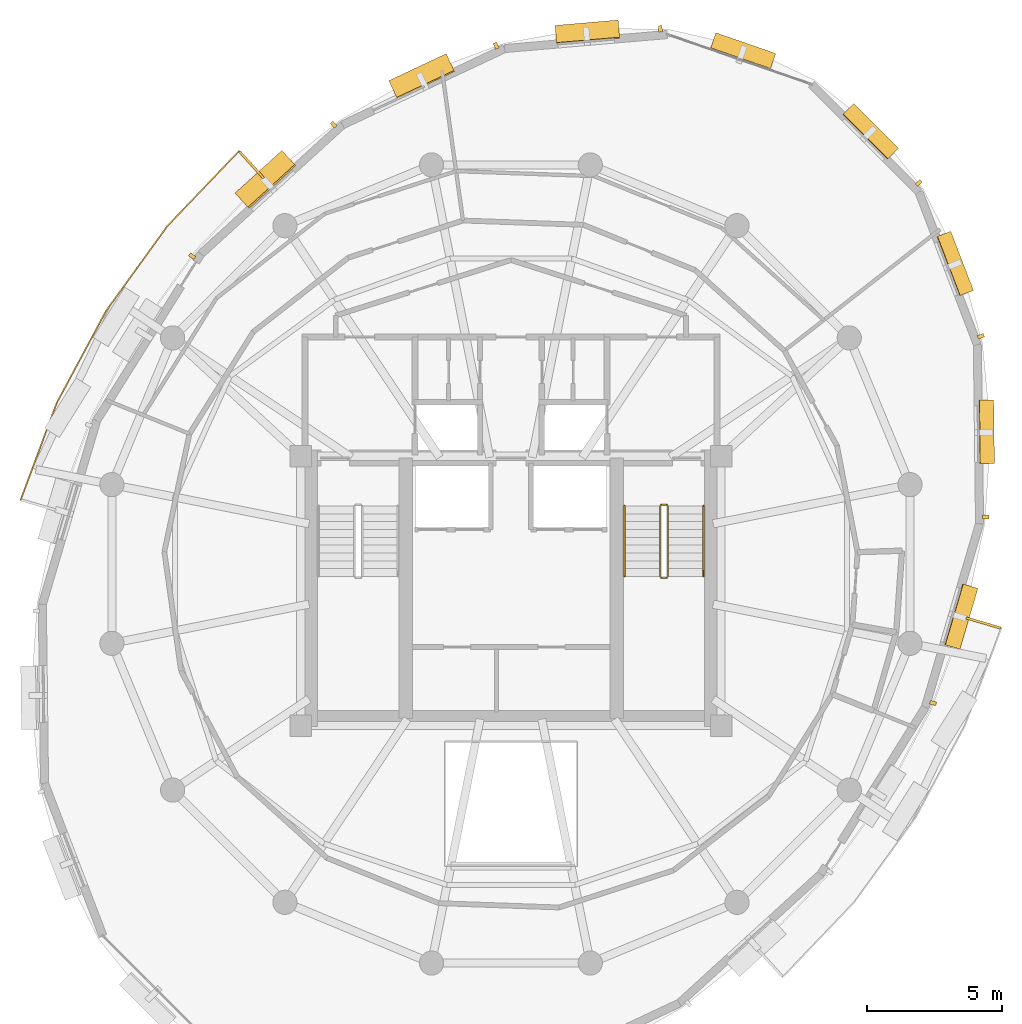
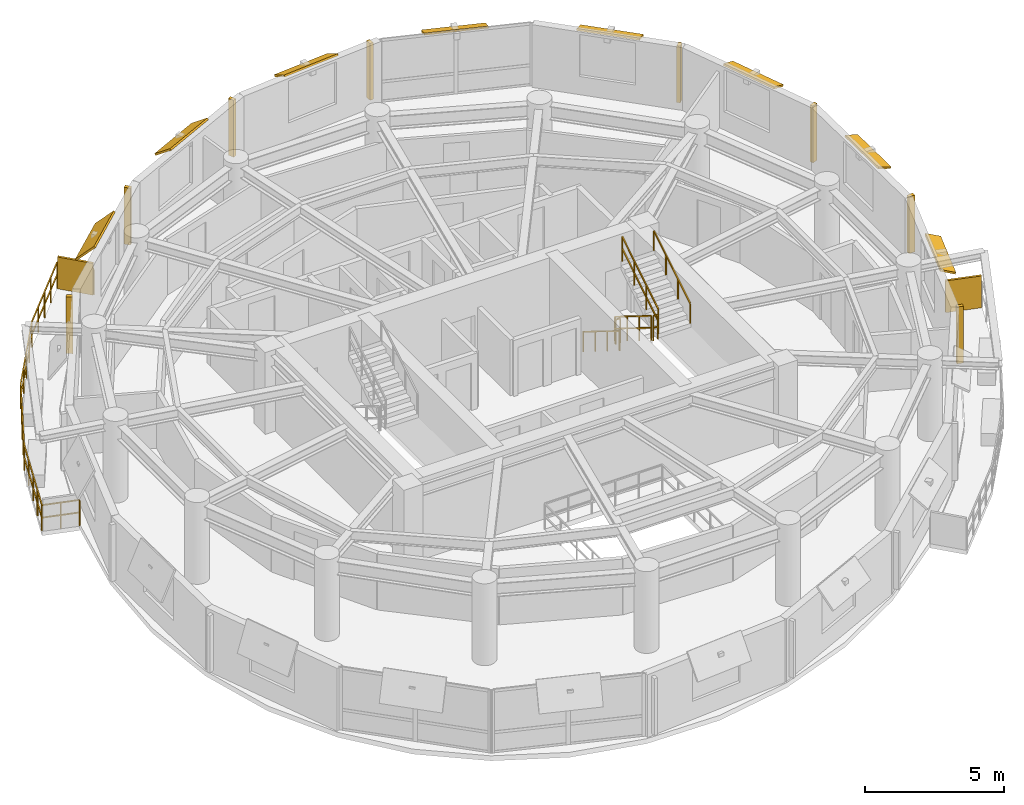
# One storey, part 11 of 11: 18 shading devices, 7 railings.
"""IFC4 building model written with IfcOpenShell, lengths in metres."""

from ifc_helpers import new_model, si_unit, direction, frame, origin, origin_2d, place, context, subcontext, project, spatial, rectangle, extrude, material, layer, layer_set, type_object, element, save


model = new_model("IFC4")

# Units and contexts
model_context = context("Model", 3, precision=1e-05, world=origin(), true_north=direction((0.0, 1.0)))
body_context = subcontext(model_context, "Body", "Model", "MODEL_VIEW")
ifc_project = project(units=[si_unit("LENGTHUNIT", "METRE"), si_unit("AREAUNIT", "SQUARE_METRE"), si_unit("VOLUMEUNIT", "CUBIC_METRE"), si_unit("PLANEANGLEUNIT", "RADIAN"), si_unit("MASSUNIT", "GRAM", prefix="KILO"), si_unit("THERMODYNAMICTEMPERATUREUNIT", "KELVIN"), si_unit("POWERUNIT", "WATT")], contexts=[model_context])

# Site, building, storey
site_placement = place(None, origin())
site = spatial("IfcSite", under=ifc_project, at=site_placement, CompositionType="ELEMENT")
building_placement = place(site_placement, origin())
building = spatial("IfcBuilding", under=site, at=building_placement, Name="Ocrelia Relay Tower", CompositionType="ELEMENT")
storey_placement = place(building_placement, frame((0.0, 0.0, 270.0)))
storey = spatial("IfcBuildingStorey", under=building, at=storey_placement, Name="L67", CompositionType="ELEMENT", Elevation=270.0)

# Railings
ifc_material_1 = material(Name="Steel S355 balustrade", Category="steel")
railing_type_1 = type_object("IfcRailingType", Name="RL-EXT-GUARD-1150", PredefinedType="GUARDRAIL", material=ifc_material_1)
railing_1_placement = place(storey_placement, frame((17.140869140625, 27.990966796875, 0.0)))
element("IfcRailing", 1, at=railing_1_placement, inside=storey, type_object=railing_type_1, Name="L67 Loggia Balcony Guard Rail B1", PredefinedType="GUARDRAIL", context=body_context, shape_type="SweptSolid", body=[
    extrude(rectangle(XDim=0.048095703125, YDim=0.048095703125, at=origin_2d()), frame((0.0, 0.0, 1.1259765625), z_axis=(-0.95948817426, 0.281748901426, 0.0), x_axis=(-0.281748901426, -0.95948817426, 0.0)), (0.0, 0.0, 1.0), 1.393310546875),
    extrude(rectangle(XDim=0.048095703125, YDim=0.048095703125, at=origin_2d()), frame((0.0, 0.0, 0.574951171875), z_axis=(-0.95948817426, 0.281748901426, 0.0), x_axis=(-0.281748901426, -0.95948817426, 0.0)), (0.0, 0.0, 1.0), 1.393310546875),
    extrude(rectangle(XDim=0.048095703125, YDim=0.048095703125, at=origin_2d()), frame((-1.3369140625, 0.392578125, 1.1259765625), z_axis=(0.348684374096, 0.937240207877, 0.0), x_axis=(-0.937240207877, 0.348684374096, 0.0)), (0.0, 0.0, 1.0), 1.920654296875),
    extrude(rectangle(XDim=0.048095703125, YDim=0.048095703125, at=origin_2d()), frame((-1.3369140625, 0.392578125, 0.574951171875), z_axis=(0.348684374096, 0.937240207877, 0.0), x_axis=(-0.937240207877, 0.348684374096, 0.0)), (0.0, 0.0, 1.0), 1.920654296875),
    extrude(rectangle(XDim=0.048095703125, YDim=0.048095703125, at=origin_2d()), frame((-0.667236328125, 2.192626953125, 1.1259765625), z_axis=(0.348754482201, 0.937214122357, 0.0), x_axis=(-0.937214122357, 0.348754482201, 0.0)), (0.0, 0.0, 1.0), 1.9208984375),
    extrude(rectangle(XDim=0.048095703125, YDim=0.048095703125, at=origin_2d()), frame((-0.667236328125, 2.192626953125, 0.574951171875), z_axis=(0.348754482201, 0.937214122357, 0.0), x_axis=(-0.937214122357, 0.348754482201, 0.0)), (0.0, 0.0, 1.0), 1.9208984375),
    extrude(rectangle(XDim=0.048095703125, YDim=0.048095703125, at=origin_2d()), frame((0.002685546875, 3.992919921875, 1.1259765625), z_axis=(0.472591384212, 0.881281670959, 0.0), x_axis=(-0.881281670959, 0.472591384212, 0.0)), (0.0, 0.0, 1.0), 3.8818359375),
    extrude(rectangle(XDim=0.048095703125, YDim=0.048095703125, at=origin_2d()), frame((0.002685546875, 3.992919921875, 0.574951171875), z_axis=(0.472591384212, 0.881281670959, 0.0), x_axis=(-0.881281670959, 0.472591384212, 0.0)), (0.0, 0.0, 1.0), 3.8818359375),
    extrude(rectangle(XDim=0.048095703125, YDim=0.048095703125, at=origin_2d()), frame((1.837158203125, 7.413818359375, 1.1259765625), z_axis=(0.58631916506, 0.810080142136, 0.0), x_axis=(-0.810080142136, 0.58631916506, 0.0)), (0.0, 0.0, 1.0), 3.882080078125),
    extrude(rectangle(XDim=0.048095703125, YDim=0.048095703125, at=origin_2d()), frame((1.837158203125, 7.413818359375, 0.574951171875), z_axis=(0.58631916506, 0.810080142136, 0.0), x_axis=(-0.810080142136, 0.58631916506, 0.0)), (0.0, 0.0, 1.0), 3.882080078125),
    extrude(rectangle(XDim=0.048095703125, YDim=0.048095703125, at=origin_2d()), frame((4.11328125, 10.55859375, 1.1259765625), z_axis=(0.690780996673, 0.723064046012, 0.0), x_axis=(-0.723064046012, 0.690780996673, 0.0)), (0.0, 0.0, 1.0), 1.9208984375),
    extrude(rectangle(XDim=0.048095703125, YDim=0.048095703125, at=origin_2d()), frame((4.11328125, 10.55859375, 0.574951171875), z_axis=(0.690780996673, 0.723064046012, 0.0), x_axis=(-0.723064046012, 0.690780996673, 0.0)), (0.0, 0.0, 1.0), 1.9208984375),
    extrude(rectangle(XDim=0.048095703125, YDim=0.048095703125, at=origin_2d()), frame((5.440185546875, 11.947509765625, 1.1259765625), z_axis=(0.690778029308, 0.72306688088, 0.0), x_axis=(-0.72306688088, 0.690778029308, 0.0)), (0.0, 0.0, 1.0), 1.92041015625),
    extrude(rectangle(XDim=0.048095703125, YDim=0.048095703125, at=origin_2d()), frame((5.440185546875, 11.947509765625, 0.574951171875), z_axis=(0.690778029308, 0.72306688088, 0.0), x_axis=(-0.72306688088, 0.690778029308, 0.0)), (0.0, 0.0, 1.0), 1.92041015625),
    extrude(rectangle(XDim=0.048095703125, YDim=0.048095703125, at=origin_2d()), frame((6.766845703125, 13.336181640625, 1.1259765625), z_axis=(0.672759991907, -0.739860793183, 0.0), x_axis=(0.739860793183, 0.672759991907, 0.0)), (0.0, 0.0, 1.0), 1.3935546875),
    extrude(rectangle(XDim=0.048095703125, YDim=0.048095703125, at=origin_2d()), frame((6.766845703125, 13.336181640625, 0.574951171875), z_axis=(0.672759991907, -0.739860793183, 0.0), x_axis=(0.739860793183, 0.672759991907, 0.0)), (0.0, 0.0, 1.0), 1.3935546875),
    extrude(rectangle(XDim=0.0419921875, YDim=0.0419921875, at=origin_2d()), origin(), (0.0, 0.0, 1.0), 1.101806640625),
    extrude(rectangle(XDim=0.0419921875, YDim=0.0419921875, at=origin_2d()), frame((-0.66845703125, 0.1962890625, 0.0)), (0.0, 0.0, 1.0), 1.101806640625),
    extrude(rectangle(XDim=0.0419921875, YDim=0.0419921875, at=origin_2d()), frame((-1.3369140625, 0.392578125, 0.0)), (0.0, 0.0, 1.0), 1.101806640625),
    extrude(rectangle(XDim=0.0419921875, YDim=0.0419921875, at=origin_2d()), frame((-1.001953125, 1.29248046875, 0.0)), (0.0, 0.0, 1.0), 1.101806640625),
    extrude(rectangle(XDim=0.0419921875, YDim=0.0419921875, at=origin_2d()), frame((-0.667236328125, 2.192626953125, 0.0)), (0.0, 0.0, 1.0), 1.101806640625),
    extrude(rectangle(XDim=0.0419921875, YDim=0.0419921875, at=origin_2d()), frame((-0.332275390625, 3.0927734375, 0.0)), (0.0, 0.0, 1.0), 1.101806640625),
    extrude(rectangle(XDim=0.0419921875, YDim=0.0419921875, at=origin_2d()), frame((0.002685546875, 3.992919921875, 0.0)), (0.0, 0.0, 1.0), 1.101806640625),
    extrude(rectangle(XDim=0.0419921875, YDim=0.0419921875, at=origin_2d()), frame((0.46142578125, 4.84814453125, 0.0)), (0.0, 0.0, 1.0), 1.101806640625),
    extrude(rectangle(XDim=0.0419921875, YDim=0.0419921875, at=origin_2d()), frame((0.919921875, 5.703369140625, 0.0)), (0.0, 0.0, 1.0), 1.101806640625),
    extrude(rectangle(XDim=0.0419921875, YDim=0.0419921875, at=origin_2d()), frame((1.37841796875, 6.55859375, 0.0)), (0.0, 0.0, 1.0), 1.101806640625),
    extrude(rectangle(XDim=0.0419921875, YDim=0.0419921875, at=origin_2d()), frame((1.837158203125, 7.413818359375, 0.0)), (0.0, 0.0, 1.0), 1.101806640625),
    extrude(rectangle(XDim=0.0419921875, YDim=0.0419921875, at=origin_2d()), frame((2.40625, 8.199951171875, 0.0)), (0.0, 0.0, 1.0), 1.101806640625),
    extrude(rectangle(XDim=0.0419921875, YDim=0.0419921875, at=origin_2d()), frame((2.97509765625, 8.986328125, 0.0)), (0.0, 0.0, 1.0), 1.101806640625),
    extrude(rectangle(XDim=0.0419921875, YDim=0.0419921875, at=origin_2d()), frame((3.544189453125, 9.7724609375, 0.0)), (0.0, 0.0, 1.0), 1.101806640625),
    extrude(rectangle(XDim=0.0419921875, YDim=0.0419921875, at=origin_2d()), frame((4.11328125, 10.55859375, 0.0)), (0.0, 0.0, 1.0), 1.101806640625),
    extrude(rectangle(XDim=0.0419921875, YDim=0.0419921875, at=origin_2d()), frame((4.77685546875, 11.2529296875, 0.0)), (0.0, 0.0, 1.0), 1.101806640625),
    extrude(rectangle(XDim=0.0419921875, YDim=0.0419921875, at=origin_2d()), frame((5.440185546875, 11.947509765625, 0.0)), (0.0, 0.0, 1.0), 1.101806640625),
    extrude(rectangle(XDim=0.0419921875, YDim=0.0419921875, at=origin_2d()), frame((6.103515625, 12.641845703125, 0.0)), (0.0, 0.0, 1.0), 1.101806640625),
    extrude(rectangle(XDim=0.0419921875, YDim=0.0419921875, at=origin_2d()), frame((6.766845703125, 13.336181640625, 0.0)), (0.0, 0.0, 1.0), 1.101806640625),
    extrude(rectangle(XDim=0.0419921875, YDim=0.0419921875, at=origin_2d()), frame((7.235595703125, 12.82080078125, 0.0)), (0.0, 0.0, 1.0), 1.101806640625),
    extrude(rectangle(XDim=0.0419921875, YDim=0.0419921875, at=origin_2d()), frame((7.704345703125, 12.30517578125, 0.0)), (0.0, 0.0, 1.0), 1.101806640625),
])
railing_type_2 = type_object("IfcRailingType", Name="RL-STAIR-GUARD", PredefinedType="GUARDRAIL", material=ifc_material_1)
railing_2_placement = place(storey_placement, frame((39.530029296875, 28.14990234375, 0.179931640625)))
element("IfcRailing", 2, at=railing_2_placement, inside=storey, type_object=railing_type_2, Name="L67 ST2 stair guard 1", PredefinedType="GUARDRAIL", context=body_context, shape_type="SweptSolid", body=[
    extrude(rectangle(XDim=0.048095703125, YDim=0.048095703125, at=origin_2d()), frame((0.0, 0.0, 1.076171875), z_axis=(0.0, -0.849610693518, 0.52741034258), x_axis=(1.0, 0.0, 0.0)), (0.0, 0.0, 1.0), 3.07177734375),
    extrude(rectangle(XDim=0.048095703125, YDim=0.048095703125, at=origin_2d()), frame((0.0, 0.0, 0.550048828125), z_axis=(0.0, -0.849610693518, 0.52741034258), x_axis=(1.0, 0.0, 0.0)), (0.0, 0.0, 1.0), 3.07177734375),
    extrude(rectangle(XDim=0.0419921875, YDim=0.0419921875, at=origin_2d()), origin(), (0.0, 0.0, 1.0), 1.052001953125),
    extrude(rectangle(XDim=0.0419921875, YDim=0.0419921875, at=origin_2d()), frame((0.0, -0.869873046875, 0.5400390625)), (0.0, 0.0, 1.0), 1.052001953125),
    extrude(rectangle(XDim=0.0419921875, YDim=0.0419921875, at=origin_2d()), frame((0.0, -1.739990234375, 1.080078125)), (0.0, 0.0, 1.0), 1.052001953125),
    extrude(rectangle(XDim=0.0419921875, YDim=0.0419921875, at=origin_2d()), frame((0.0, -2.60986328125, 1.6201171875)), (0.0, 0.0, 1.0), 1.052001953125),
])
railing_3_placement = place(storey_placement, frame((39.580078125, 25.489990234375, 1.800048828125)))
element("IfcRailing", 3, at=railing_3_placement, inside=storey, type_object=railing_type_2, Name="L67 ST2 stair guard 2", PredefinedType="GUARDRAIL", context=body_context, shape_type="SweptSolid", body=[
    extrude(rectangle(XDim=0.048095703125, YDim=0.048095703125, at=origin_2d()), frame((0.0, 0.0, 1.076171875), z_axis=(1.0, 0.0, 0.0), x_axis=(0.0, 1.0, 0.0)), (0.0, 0.0, 1.0), 0.199951171875),
    extrude(rectangle(XDim=0.048095703125, YDim=0.048095703125, at=origin_2d()), frame((0.0, 0.0, 0.550048828125), z_axis=(1.0, 0.0, 0.0), x_axis=(0.0, 1.0, 0.0)), (0.0, 0.0, 1.0), 0.199951171875),
    extrude(rectangle(XDim=0.0419921875, YDim=0.0419921875, at=origin_2d()), origin(), (0.0, 0.0, 1.0), 1.052001953125),
    extrude(rectangle(XDim=0.0419921875, YDim=0.0419921875, at=origin_2d()), frame((0.199951171875, 0.0, 0.0)), (0.0, 0.0, 1.0), 1.052001953125),
])
railing_4_placement = place(storey_placement, frame((39.830078125, 25.5400390625, 1.97998046875)))
element("IfcRailing", 4, at=railing_4_placement, inside=storey, type_object=railing_type_2, Name="L67 ST2 stair guard 3", PredefinedType="GUARDRAIL", context=body_context, shape_type="SweptSolid", body=[
    extrude(rectangle(XDim=0.048095703125, YDim=0.048095703125, at=origin_2d()), frame((0.0, 0.0, 1.076171875), z_axis=(0.0, 0.849610693518, 0.52741034258), x_axis=(-1.0, 0.0, 0.0)), (0.0, 0.0, 1.0), 3.07177734375),
    extrude(rectangle(XDim=0.048095703125, YDim=0.048095703125, at=origin_2d()), frame((0.0, 0.0, 0.550048828125), z_axis=(0.0, 0.849610693518, 0.52741034258), x_axis=(-1.0, 0.0, 0.0)), (0.0, 0.0, 1.0), 3.07177734375),
    extrude(rectangle(XDim=0.0419921875, YDim=0.0419921875, at=origin_2d()), origin(), (0.0, 0.0, 1.0), 1.052001953125),
    extrude(rectangle(XDim=0.0419921875, YDim=0.0419921875, at=origin_2d()), frame((0.0, 0.869873046875, 0.5400390625)), (0.0, 0.0, 1.0), 1.052001953125),
    extrude(rectangle(XDim=0.0419921875, YDim=0.0419921875, at=origin_2d()), frame((0.0, 1.739990234375, 1.080078125)), (0.0, 0.0, 1.0), 1.052001953125),
    extrude(rectangle(XDim=0.0419921875, YDim=0.0419921875, at=origin_2d()), frame((0.0, 2.60986328125, 1.6201171875)), (0.0, 0.0, 1.0), 1.052001953125),
])
railing_5_placement = place(storey_placement, frame((39.580078125, 28.199951171875, 0.0)))
element("IfcRailing", 5, at=railing_5_placement, inside=storey, type_object=railing_type_2, Name="L67 ST2 stair guard 4", PredefinedType="GUARDRAIL", context=body_context, shape_type="SweptSolid", body=[
    extrude(rectangle(XDim=0.048095703125, YDim=0.048095703125, at=origin_2d()), frame((0.0, 0.0, 1.076171875), z_axis=(1.0, 0.0, 0.0), x_axis=(0.0, 1.0, 0.0)), (0.0, 0.0, 1.0), 0.199951171875),
    extrude(rectangle(XDim=0.048095703125, YDim=0.048095703125, at=origin_2d()), frame((0.0, 0.0, 0.550048828125), z_axis=(1.0, 0.0, 0.0), x_axis=(0.0, 1.0, 0.0)), (0.0, 0.0, 1.0), 0.199951171875),
    extrude(rectangle(XDim=0.0419921875, YDim=0.0419921875, at=origin_2d()), origin(), (0.0, 0.0, 1.0), 1.052001953125),
    extrude(rectangle(XDim=0.0419921875, YDim=0.0419921875, at=origin_2d()), frame((0.199951171875, 0.0, 0.0)), (0.0, 0.0, 1.0), 1.052001953125),
])
ifc_material_2 = material(Name="Steel S355 tubular handrail", Category="steel")
railing_type_3 = type_object("IfcRailingType", Name="RL-STAIR-HAND", PredefinedType="HANDRAIL", material=ifc_material_2)
railing_6_placement = place(storey_placement, frame((38.2099609375, 28.14990234375, 0.179931640625)))
element("IfcRailing", 6, at=railing_6_placement, inside=storey, type_object=railing_type_3, Name="L67 ST2 stair handrail 1", PredefinedType="HANDRAIL", context=body_context, shape_type="SweptSolid", body=[
    extrude(rectangle(XDim=0.048095703125, YDim=0.048095703125, at=origin_2d()), frame((0.0, 0.0, 0.8759765625), z_axis=(0.0, -0.849610693518, 0.52741034258), x_axis=(1.0, 0.0, 0.0)), (0.0, 0.0, 1.0), 3.07177734375),
    extrude(rectangle(XDim=0.0419921875, YDim=0.0419921875, at=origin_2d()), origin(), (0.0, 0.0, 1.0), 0.851806640625),
    extrude(rectangle(XDim=0.0419921875, YDim=0.0419921875, at=origin_2d()), frame((0.0, -0.869873046875, 0.5400390625)), (0.0, 0.0, 1.0), 0.851806640625),
    extrude(rectangle(XDim=0.0419921875, YDim=0.0419921875, at=origin_2d()), frame((0.0, -1.739990234375, 1.080078125)), (0.0, 0.0, 1.0), 0.851806640625),
    extrude(rectangle(XDim=0.0419921875, YDim=0.0419921875, at=origin_2d()), frame((0.0, -2.60986328125, 1.6201171875)), (0.0, 0.0, 1.0), 0.851806640625),
])
railing_7_placement = place(storey_placement, frame((41.14990234375, 25.5400390625, 1.97998046875)))
element("IfcRailing", 7, at=railing_7_placement, inside=storey, type_object=railing_type_3, Name="L67 ST2 stair handrail 2", PredefinedType="HANDRAIL", context=body_context, shape_type="SweptSolid", body=[
    extrude(rectangle(XDim=0.048095703125, YDim=0.048095703125, at=origin_2d()), frame((0.0, 0.0, 0.8759765625), z_axis=(0.0, 0.849610693518, 0.52741034258), x_axis=(-1.0, 0.0, 0.0)), (0.0, 0.0, 1.0), 3.07177734375),
    extrude(rectangle(XDim=0.0419921875, YDim=0.0419921875, at=origin_2d()), origin(), (0.0, 0.0, 1.0), 0.851806640625),
    extrude(rectangle(XDim=0.0419921875, YDim=0.0419921875, at=origin_2d()), frame((0.0, 0.869873046875, 0.5400390625)), (0.0, 0.0, 1.0), 0.851806640625),
    extrude(rectangle(XDim=0.0419921875, YDim=0.0419921875, at=origin_2d()), frame((0.0, 1.739990234375, 1.080078125)), (0.0, 0.0, 1.0), 0.851806640625),
    extrude(rectangle(XDim=0.0419921875, YDim=0.0419921875, at=origin_2d()), frame((0.0, 2.60986328125, 1.6201171875)), (0.0, 0.0, 1.0), 0.851806640625),
])

# Shading devices
ifc_material_3 = material(Name="Perforated oxide terracotta solar screen", Category="masonry")
ifc_layer_1 = layer(ifc_material_3, 0.090087890625, Name="Perforated oxide terracotta solar screen")
ifc_layer_set_1 = layer_set([ifc_layer_1], Name="Perforated oxide terracotta solar screen")
shading_device_type_1 = type_object("IfcShadingDeviceType", Name="SH-BALC-SCREEN", PredefinedType="USERDEFINED", material=ifc_layer_set_1)
for number, where, z_axis, x_axis, name in (
    (8, (24.37646484375, 40.811767578125, 0.0), (0.0, 0.0, 1.0), (-0.672647789724, 0.739962803781, 0.0), "L67 Balcony Perforated Terracotta Screen B1-1"),
    (9, (51.527587890625, 23.812744140625, 0.0), (0.0, 0.0, 1.0), (0.959488826134, -0.281746681477, 0.0), "L67 Balcony Perforated Terracotta Screen B2-2"),
):
    element("IfcShadingDevice", number, at=place(storey_placement, frame(where, z_axis=z_axis, x_axis=x_axis)), inside=storey, type_object=shading_device_type_1, Name=name, ObjectType="SCREEN", PredefinedType="USERDEFINED", context=body_context, shape_type="SweptSolid", body=[
        extrude(rectangle(XDim=1.340087890625, YDim=0.090087890625, at=origin_2d()), origin(), (0.0, 0.0, 1.0), 1.39990234375),
    ])
ifc_material_4 = material(Name="Extruded oxide terracotta vertical baguette", Category="masonry")
shading_device_type_2 = type_object("IfcShadingDeviceType", Name="SH-TERR-BAGUETTE", PredefinedType="USERDEFINED", material=ifc_material_4)
for number, where, z_axis, x_axis, name in (
    (10, (39.545654296875, 45.8564453125, 0.1298828125), (0.0, 0.0, 1.0), (-0.996296830381, -0.085980380164, 0.0), "L67 Oxide Terracotta Vertical Baguette 02"),
    (11, (33.449951171875, 45.232666015625, 0.1298828125), (0.0, 0.0, 1.0), (-0.904850767215, -0.425728891515, 0.0), "L67 Oxide Terracotta Vertical Baguette 03"),
    (12, (27.421630859375, 42.306884765625, 0.1298828125), (0.0, 0.0, 1.0), (-0.738940820004, -0.673770335152, 0.0), "L67 Oxide Terracotta Vertical Baguette 04"),
    (13, (22.174072265625, 37.423095703125, 0.1298828125), (0.0, 0.0, 1.0), (-0.530659392328, -0.84758516347, 0.0), "L67 Oxide Terracotta Vertical Baguette 05"),
    (14, (49.66259765625, 20.842041015625, 0.1298828125), (0.0, 0.0, 1.0), (0.283321170294, 0.959025085419, 0.0), "L67 Oxide Terracotta Vertical Baguette 15"),
    (15, (51.61669921875, 27.743408203125, 0.1298828125), (0.0, 0.0, 1.0), (-0.012283419714, 0.999924555954, 0.0), "L67 Oxide Terracotta Vertical Baguette 16"),
    (16, (51.43701171875, 34.44970703125, 0.1298828125), (0.0, 0.0, 1.0), (-0.357841321918, 0.93378240952, 0.0), "L67 Oxide Terracotta Vertical Baguette 17"),
    (17, (49.1318359375, 40.135986328125, 0.1298828125), (0.0, 0.0, 1.0), (-0.707080233327, 0.707133328049, 0.0), "L67 Oxide Terracotta Vertical Baguette 18"),
):
    element("IfcShadingDevice", number, at=place(storey_placement, frame(where, z_axis=z_axis, x_axis=x_axis)), inside=storey, type_object=shading_device_type_2, Name=name, ObjectType="BAGUETTE", PredefinedType="USERDEFINED", context=body_context, shape_type="SweptSolid", body=[
        extrude(rectangle(XDim=0.139892578125, YDim=0.239990234375, at=origin_2d()), origin(), (0.0, 0.0, 1.0), 2.5),
    ])
ifc_material_5 = material(Name="Extruded oxide terracotta fin", Category="masonry")
ifc_layer_2 = layer(ifc_material_5, 0.080078125, Name="Extruded oxide terracotta fin")
ifc_layer_set_2 = layer_set([ifc_layer_2], Name="Extruded oxide terracotta fin")
shading_device_type_3 = type_object("IfcShadingDeviceType", Name="SH-VISOR-FIN-MED", PredefinedType="USERDEFINED", material=ifc_layer_set_2)
shading_device_1_placement = place(storey_placement, frame((30.697998046875, 44.082763671875, 2.567626953125), z_axis=(-0.249876348987, 0.531091054884, 0.809632077946), x_axis=(-0.904850767215, -0.425728891515, 0.0)))
element("IfcShadingDevice", 18, at=shading_device_1_placement, inside=storey, type_object=shading_device_type_3, Name="L67 Canted Terracotta Sun-Visor Fin 03", ObjectType="FIN", PredefinedType="USERDEFINED", context=body_context, shape_type="SweptSolid", body=[
    extrude(rectangle(XDim=2.35009765625, YDim=0.84912109375, at=origin_2d()), origin(), (0.0, 0.0, 1.0), 0.080078125),
])
shading_device_2_placement = place(storey_placement, frame((24.906982421875, 40.252197265625, 2.57177734375), z_axis=(-0.477756150348, 0.523967148866, 0.705129412033), x_axis=(-0.738940820004, -0.673770335152, 0.0)))
element("IfcShadingDevice", 19, at=shading_device_2_placement, inside=storey, type_object=shading_device_type_3, Name="L67 Canted Terracotta Sun-Visor Fin 04", ObjectType="FIN", PredefinedType="USERDEFINED", context=body_context, shape_type="SweptSolid", body=[
    extrude(rectangle(XDim=2.35009765625, YDim=1.0029296875, at=origin_2d()), origin(), (0.0, 0.0, 1.0), 0.080078125),
])
ifc_layer_3 = layer(ifc_material_5, 0.080078125, Name="Extruded oxide terracotta fin")
ifc_layer_set_3 = layer_set([ifc_layer_3], Name="Extruded oxide terracotta fin")
shading_device_type_4 = type_object("IfcShadingDeviceType", Name="SH-VISOR-FIN-SHAL", PredefinedType="USERDEFINED", material=ifc_layer_set_3)
shading_device_3_placement = place(storey_placement, frame((42.609375, 45.01904296875, 2.5634765625), z_axis=(0.131982340981, 0.381183162862, 0.915030085855), x_axis=(-0.944959768573, 0.327186545839, 0.0)))
element("IfcShadingDevice", 20, at=shading_device_3_placement, inside=storey, type_object=shading_device_type_4, Name="L67 Canted Terracotta Sun-Visor Fin 01", ObjectType="FIN", PredefinedType="USERDEFINED", context=body_context, shape_type="SweptSolid", body=[
    extrude(rectangle(XDim=2.35009765625, YDim=0.64697265625, at=origin_2d()), origin(), (0.0, 0.0, 1.0), 0.080078125),
])
shading_device_4_placement = place(storey_placement, frame((36.83837890625, 45.72900390625, 2.56494140625), z_axis=(-0.041513384613, 0.481035945984, 0.875717453046), x_axis=(-0.996296830381, -0.085980380164, 0.0)))
element("IfcShadingDevice", 21, at=shading_device_4_placement, inside=storey, type_object=shading_device_type_4, Name="L67 Canted Terracotta Sun-Visor Fin 02", ObjectType="FIN", PredefinedType="USERDEFINED", context=body_context, shape_type="SweptSolid", body=[
    extrude(rectangle(XDim=2.35009765625, YDim=0.73095703125, at=origin_2d()), origin(), (0.0, 0.0, 1.0), 0.080078125),
])
shading_device_5_placement = place(storey_placement, frame((50.6962890625, 24.0546875, 2.562744140625), z_axis=(0.352573750192, -0.104159535593, 0.929969107993), x_axis=(0.283321170294, 0.959025085419, 0.0)))
element("IfcShadingDevice", 22, at=shading_device_5_placement, inside=storey, type_object=shading_device_type_4, Name="L67 Canted Terracotta Sun-Visor Fin 15", ObjectType="FIN", PredefinedType="USERDEFINED", context=body_context, shape_type="SweptSolid", body=[
    extrude(rectangle(XDim=2.35009765625, YDim=0.610107421875, at=origin_2d()), origin(), (0.0, 0.0, 1.0), 0.080078125),
])
for number, where, z_axis, x_axis, name in (
    (23, (51.64013671875, 30.90625, 2.56201171875), (0.314465804558, 0.003863006904, 0.949260941439), (-0.012283419714, 0.999924555954, 0.0), "L67 Canted Terracotta Sun-Visor Fin 16"),
    (24, (50.47314453125, 37.14599609375, 2.56201171875), (0.293200632104, 0.112359475516, 0.949425477642), (-0.357841321918, 0.93378240952, 0.0), "L67 Canted Terracotta Sun-Visor Fin 17"),
):
    element("IfcShadingDevice", number, at=place(storey_placement, frame(where, z_axis=z_axis, x_axis=x_axis)), inside=storey, type_object=shading_device_type_4, Name=name, ObjectType="FIN", PredefinedType="USERDEFINED", context=body_context, shape_type="SweptSolid", body=[
        extrude(rectangle(XDim=2.35009765625, YDim=0.554931640625, at=origin_2d()), origin(), (0.0, 0.0, 1.0), 0.080078125),
    ])
shading_device_6_placement = place(storey_placement, frame((47.33935546875, 42.04150390625, 2.5625), z_axis=(0.245214005758, 0.245195593998, 0.937949472021), x_axis=(-0.707080233327, 0.707133328049, 0.0)))
element("IfcShadingDevice", 25, at=shading_device_6_placement, inside=storey, type_object=shading_device_type_4, Name="L67 Canted Terracotta Sun-Visor Fin 18", ObjectType="FIN", PredefinedType="USERDEFINED", context=body_context, shape_type="SweptSolid", body=[
    extrude(rectangle(XDim=2.35009765625, YDim=0.587890625, at=origin_2d()), origin(), (0.0, 0.0, 1.0), 0.080078125),
])

save(model, "model.ifc")
